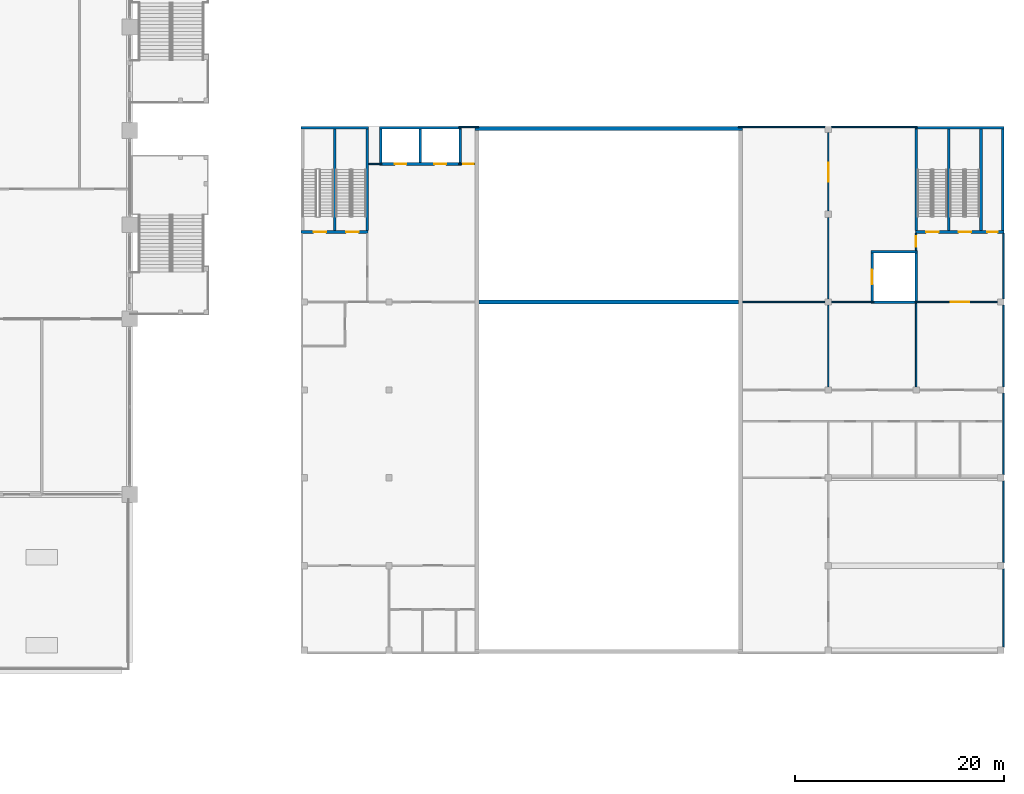
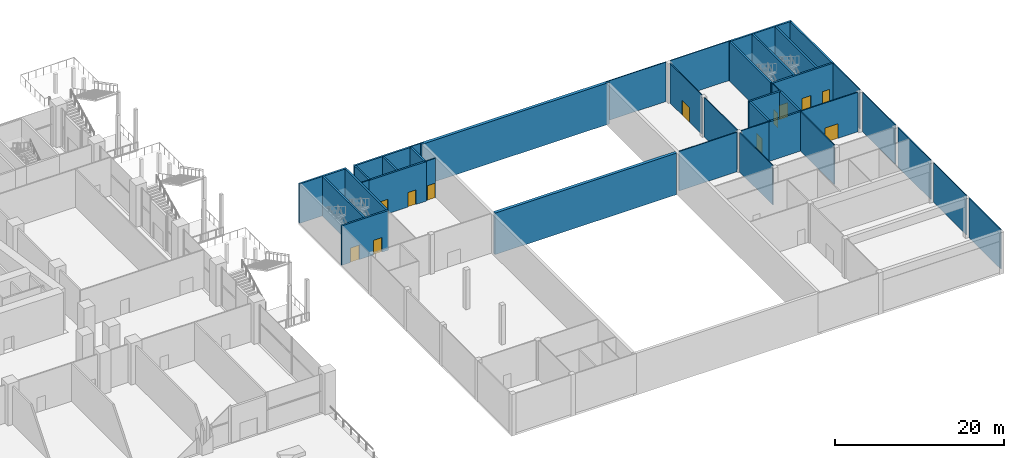
# One storey, part 28 of 47: 39 walls, 12 doors, 12 openings.
"""IFC4 building model written with IfcOpenShell, lengths in metres."""

from ifc_helpers import new_model, si_unit, direction, frame, frame_2d, origin, place, context, subcontext, project, spatial, rectangle, extrude, material, layer, layer_set, type_object, element, fill, save


model = new_model("IFC4")

# Units and contexts
model_context = context("Model", 3, precision=1e-05, world=origin(), true_north=direction((0.0, 1.0)))
body_context = subcontext(model_context, "Body", "Model", "MODEL_VIEW")
ifc_project = project(units=[si_unit("LENGTHUNIT", "METRE"), si_unit("AREAUNIT", "SQUARE_METRE"), si_unit("VOLUMEUNIT", "CUBIC_METRE"), si_unit("PLANEANGLEUNIT", "RADIAN"), si_unit("MASSUNIT", "GRAM", prefix="KILO")], contexts=[model_context])

# Site, building, storey
site_placement = place(None, origin())
site = spatial("IfcSite", under=ifc_project, at=site_placement, CompositionType="ELEMENT")
building_placement = place(site_placement, origin())
building = spatial("IfcBuilding", under=site, at=building_placement, Name="Candeia Pilgrim Tower and Theatre", CompositionType="ELEMENT")
storey_placement = place(building_placement, frame((0.0, 0.0, 23.0)))
storey = spatial("IfcBuildingStorey", under=building, at=storey_placement, Name="L03", CompositionType="ELEMENT", Elevation=23.0)

# Walls
ifc_material_1 = material(Name="Gypsum board on steel studs", Category="steel")
ifc_layer_1 = layer(ifc_material_1, 0.125)
ifc_layer_set_1 = layer_set([ifc_layer_1], Name="Partition 125")
wall_type_1 = type_object("IfcWallType", Name="Partition 125", PredefinedType="PARTITIONING", material=ifc_layer_set_1)
wall_1_placement = place(storey_placement, frame((218.199951171875, 99.60009765625, 0.0), z_axis=(0.0, 0.0, 1.0), x_axis=(1.0, 0.0, 0.0)))
element("IfcWall", 1, at=wall_1_placement, inside=storey, type_object=wall_type_1, Name="T-L03-W019", PredefinedType="PARTITIONING", context=body_context, shape_type="SweptSolid", body=[
    extrude(rectangle(XDim=7.900146484375, YDim=0.125, at=frame_2d((3.9501953125, 0.0))), origin(), (0.0, 0.0, 1.0), 5.699951171875),
])
wall_2_placement = place(storey_placement, frame((226.699951171875, 99.60009765625, 0.0), z_axis=(0.0, 0.0, 1.0), x_axis=(1.0, 0.0, 0.0)))
element("IfcWall", 2, at=wall_2_placement, inside=storey, type_object=wall_type_1, Name="T-L03-W020", PredefinedType="PARTITIONING", context=body_context, shape_type="SweptSolid", body=[
    extrude(rectangle(XDim=4.025146484375, YDim=0.125, at=frame_2d((2.0126953125, 0.0))), origin(), (0.0, 0.0, 1.0), 5.699951171875),
])

# Wall, opening, door
wall_3_placement = place(storey_placement, frame((234.737548828125, 99.60009765625, 0.0), z_axis=(0.0, 0.0, 1.0), x_axis=(1.0, 0.0, 0.0)))
wall_3 = element("IfcWall", 3, at=wall_3_placement, inside=storey, type_object=wall_type_1, Name="T-L03-W022", PredefinedType="PARTITIONING", context=body_context, shape_type="SweptSolid", body=[
    extrude(rectangle(XDim=7.862548828125, YDim=0.125, at=frame_2d((3.93115234375, 0.0))), origin(), (0.0, 0.0, 1.0), 5.699951171875),
])
opening_1_placement = place(wall_3_placement, frame((3.362548828125, 0.0, 0.0)))
opening_1 = element("IfcOpeningElement", 4, at=opening_1_placement, cuts=wall_3, Name="Opening TD-L03-031", PredefinedType="OPENING", context=body_context, shape_type="SweptSolid", body=[
    extrude(rectangle(XDim=1.800048828125, YDim=2.10009765625, at=frame_2d((0.89990234375, 1.050048828125))), frame((0.0, 0.072509765625, 0.0), z_axis=(0.0, -1.0, 0.0), x_axis=(1.0, 0.0, 0.0)), (0.0, 0.0, 1.0), 0.14501953125),
])
ifc_material_2 = material(Name="Timber door leaf", Category="wood")
door_type_1 = type_object("IfcDoorType", Name="Door double 1800x2100", OperationType="DOUBLE_DOOR_SINGLE_SWING", PredefinedType="DOOR", material=ifc_material_2)
door_1_placement = place(opening_1_placement, origin())
door_1 = element("IfcDoor", 5, at=door_1_placement, inside=storey, type_object=door_type_1, Name="Door TD-L03-031", OperationType="DOUBLE_DOOR_SINGLE_SWING", OverallHeight=2.10009765625, OverallWidth=1.800048828125, PredefinedType="DOOR", context=body_context, shape_type="SweptSolid", body=[
    extrude(rectangle(XDim=1.800048828125, YDim=2.10009765625, at=frame_2d((0.89990234375, 1.050048828125))), frame((0.0, 0.02490234375, 0.0), z_axis=(0.0, -1.0, 0.0), x_axis=(1.0, 0.0, 0.0)), (0.0, 0.0, 1.0), 0.050048828125),
])
fill(opening_1, door_1)

# Wall
wall_4_placement = place(storey_placement, frame((182.449951171875, 112.800048828125, 0.0), z_axis=(0.0, 0.0, 1.0), x_axis=(1.0, 0.0, 0.0)))
element("IfcWall", 6, at=wall_4_placement, inside=storey, type_object=wall_type_1, Name="T-L03-W026", PredefinedType="PARTITIONING", context=body_context, shape_type="SweptSolid", body=[
    extrude(rectangle(XDim=1.275146484375, YDim=0.125, at=frame_2d((0.6376953125, 0.0))), origin(), (0.0, 0.0, 1.0), 5.699951171875),
])

# Wall, opening, door
wall_5_placement = place(storey_placement, frame((191.074951171875, 112.800048828125, 0.0), z_axis=(0.0, 0.0, 1.0), x_axis=(1.0, 0.0, 0.0)))
wall_5 = element("IfcWall", 7, at=wall_5_placement, inside=storey, type_object=wall_type_1, Name="T-L03-W028", PredefinedType="PARTITIONING", context=body_context, shape_type="SweptSolid", body=[
    extrude(rectangle(XDim=1.525146484375, YDim=0.125, at=frame_2d((0.7626953125, 0.0))), origin(), (0.0, 0.0, 1.0), 5.699951171875),
])
opening_2_placement = place(wall_5_placement, frame((0.425048828125, 0.0, 0.0)))
opening_2 = element("IfcOpeningElement", 8, at=opening_2_placement, cuts=wall_5, Name="Opening TD-L03-006", PredefinedType="OPENING", context=body_context, shape_type="SweptSolid", body=[
    extrude(rectangle(XDim=1.0, YDim=2.10009765625, at=frame_2d((0.5, 1.050048828125))), frame((0.0, 0.072509765625, 0.0), z_axis=(0.0, -1.0, 0.0), x_axis=(1.0, 0.0, 0.0)), (0.0, 0.0, 1.0), 0.14501953125),
])
ifc_material_3 = material(Name="Steel fire door leaf", Category="steel")
door_type_2 = type_object("IfcDoorType", Name="Door fire single 1000x2100", OperationType="NOTDEFINED", PredefinedType="DOOR", material=ifc_material_3)
door_2_placement = place(opening_2_placement, origin())
door_2 = element("IfcDoor", 9, at=door_2_placement, inside=storey, type_object=door_type_2, Name="Door TD-L03-006", OperationType="SINGLE_SWING_RIGHT", OverallHeight=2.10009765625, OverallWidth=1.0, PredefinedType="DOOR", context=body_context, shape_type="SweptSolid", body=[
    extrude(rectangle(XDim=1.0, YDim=2.10009765625, at=frame_2d((0.5, 1.050048828125))), frame((0.0, 0.02490234375, 0.0), z_axis=(0.0, -1.0, 0.0), x_axis=(1.0, 0.0, 0.0)), (0.0, 0.0, 1.0), 0.050048828125),
])
fill(opening_2, door_2)

# Walls
wall_6_placement = place(storey_placement, frame((191.074951171875, 116.33740234375, 0.0), z_axis=(0.0, 0.0, 1.0), x_axis=(1.0, 0.0, 0.0)))
element("IfcWall", 10, at=wall_6_placement, inside=storey, type_object=wall_type_1, Name="T-L03-W033", PredefinedType="PARTITIONING", context=body_context, shape_type="SweptSolid", body=[
    extrude(rectangle(XDim=1.925048828125, YDim=0.125, at=frame_2d((0.96240234375, 0.0))), origin(), (0.0, 0.0, 1.0), 5.699951171875),
])
wall_7_placement = place(storey_placement, frame((217.800048828125, 116.33740234375, 0.0), z_axis=(0.0, 0.0, 1.0), x_axis=(1.0, 0.0, 0.0)))
element("IfcWall", 11, at=wall_7_placement, inside=storey, type_object=wall_type_1, Name="T-L03-W034", PredefinedType="PARTITIONING", context=body_context, shape_type="SweptSolid", body=[
    extrude(rectangle(XDim=8.300048828125, YDim=0.125, at=frame_2d((4.14990234375, 0.0))), origin(), (0.0, 0.0, 1.0), 5.699951171875),
])
wall_8_placement = place(storey_placement, frame((226.699951171875, 116.33740234375, 0.0), z_axis=(0.0, 0.0, 1.0), x_axis=(1.0, 0.0, 0.0)))
element("IfcWall", 12, at=wall_8_placement, inside=storey, type_object=wall_type_1, Name="T-L03-W035", PredefinedType="PARTITIONING", context=body_context, shape_type="SweptSolid", body=[
    extrude(rectangle(XDim=8.22509765625, YDim=0.125, at=frame_2d((4.112548828125, 0.0))), origin(), (0.0, 0.0, 1.0), 5.699951171875),
])
for number, where, z_axis, x_axis, name in (
    (13, (226.39990234375, 91.5, 0.0), (0.0, 0.0, 1.0), (0.0, 1.0, 0.0), "T-L03-W057"),
    (14, (226.39990234375, 99.89990234375, 0.0), (0.0, 0.0, 1.0), (0.0, 1.0, 0.0), "T-L03-W058"),
):
    element("IfcWall", number, at=place(storey_placement, frame(where, z_axis=z_axis, x_axis=x_axis)), inside=storey, type_object=wall_type_1, Name=name, PredefinedType="PARTITIONING", context=body_context, shape_type="SweptSolid", body=[
        extrude(rectangle(XDim=7.800048828125, YDim=0.125, at=frame_2d((3.89990234375, 0.0))), origin(), (0.0, 0.0, 1.0), 5.699951171875),
    ])

# Wall, opening, door
wall_9_placement = place(storey_placement, frame((226.39990234375, 108.300048828125, 0.0), z_axis=(0.0, 0.0, 1.0), x_axis=(0.0, 1.0, 0.0)))
wall_9 = element("IfcWall", 15, at=wall_9_placement, inside=storey, type_object=wall_type_1, Name="T-L03-W059", PredefinedType="PARTITIONING", context=body_context, shape_type="SweptSolid", body=[
    extrude(rectangle(XDim=7.5, YDim=0.125, at=frame_2d((3.75, 0.0))), origin(), (0.0, 0.0, 1.0), 5.699951171875),
])
opening_3_placement = place(wall_9_placement, frame((2.800048828125, 0.0, 0.0)))
opening_3 = element("IfcOpeningElement", 16, at=opening_3_placement, cuts=wall_9, Name="Opening TD-L03-032", PredefinedType="OPENING", context=body_context, shape_type="SweptSolid", body=[
    extrude(rectangle(XDim=1.800048828125, YDim=2.10009765625, at=frame_2d((0.89990234375, 1.050048828125))), frame((0.0, 0.072509765625, 0.0), z_axis=(0.0, -1.0, 0.0), x_axis=(1.0, 0.0, 0.0)), (0.0, 0.0, 1.0), 0.14501953125),
])
door_3_placement = place(opening_3_placement, origin())
door_3 = element("IfcDoor", 17, at=door_3_placement, inside=storey, type_object=door_type_1, Name="Door TD-L03-032", OperationType="DOUBLE_DOOR_SINGLE_SWING", OverallHeight=2.10009765625, OverallWidth=1.800048828125, PredefinedType="DOOR", context=body_context, shape_type="SweptSolid", body=[
    extrude(rectangle(XDim=1.800048828125, YDim=2.10009765625, at=frame_2d((0.89990234375, 1.050048828125))), frame((0.0, 0.02490234375, 0.0), z_axis=(0.0, -1.0, 0.0), x_axis=(1.0, 0.0, 0.0)), (0.0, 0.0, 1.0), 0.050048828125),
])
fill(opening_3, door_3)

# Wall
wall_10_placement = place(storey_placement, frame((234.800048828125, 91.5, 0.0), z_axis=(0.0, 0.0, 1.0), x_axis=(0.0, 1.0, 0.0)))
element("IfcWall", 18, at=wall_10_placement, inside=storey, type_object=wall_type_1, Name="T-L03-W063", PredefinedType="PARTITIONING", context=body_context, shape_type="SweptSolid", body=[
    extrude(rectangle(XDim=7.97509765625, YDim=0.125, at=frame_2d((3.987548828125, 0.0))), origin(), (0.0, 0.0, 1.0), 5.699951171875),
])

# Wall, opening, door
wall_11_placement = place(storey_placement, frame((234.800048828125, 104.52490234375, 0.0), z_axis=(0.0, 0.0, 1.0), x_axis=(0.0, 1.0, 0.0)))
wall_11 = element("IfcWall", 19, at=wall_11_placement, inside=storey, type_object=wall_type_1, Name="T-L03-W065", PredefinedType="PARTITIONING", context=body_context, shape_type="SweptSolid", body=[
    extrude(rectangle(XDim=1.650146484375, YDim=0.125, at=frame_2d((0.8251953125, 0.0))), origin(), (0.0, 0.0, 1.0), 5.699951171875),
])
opening_4_placement = place(wall_11_placement, frame((0.375, 0.0, 0.0)))
opening_4 = element("IfcOpeningElement", 20, at=opening_4_placement, cuts=wall_11, Name="Opening TD-L03-010", PredefinedType="OPENING", context=body_context, shape_type="SweptSolid", body=[
    extrude(rectangle(XDim=1.0, YDim=2.10009765625, at=frame_2d((0.5, 1.050048828125))), frame((0.0, 0.072509765625, 0.0), z_axis=(0.0, -1.0, 0.0), x_axis=(1.0, 0.0, 0.0)), (0.0, 0.0, 1.0), 0.14501953125),
])
door_4_placement = place(opening_4_placement, origin())
door_4 = element("IfcDoor", 21, at=door_4_placement, inside=storey, type_object=door_type_2, Name="Door TD-L03-010", OperationType="SINGLE_SWING_RIGHT", OverallHeight=2.10009765625, OverallWidth=1.0, PredefinedType="DOOR", context=body_context, shape_type="SweptSolid", body=[
    extrude(rectangle(XDim=1.0, YDim=2.10009765625, at=frame_2d((0.5, 1.050048828125))), frame((0.0, 0.02490234375, 0.0), z_axis=(0.0, -1.0, 0.0), x_axis=(1.0, 0.0, 0.0)), (0.0, 0.0, 1.0), 0.050048828125),
])
fill(opening_4, door_4)

# Walls
wall_12_placement = place(storey_placement, frame((243.137451171875, 66.60009765625, 0.0), z_axis=(0.0, 0.0, 1.0), x_axis=(0.0, 1.0, 0.0)))
element("IfcWall", 22, at=wall_12_placement, inside=storey, type_object=wall_type_1, Name="T-L03-W071", PredefinedType="PARTITIONING", context=body_context, shape_type="SweptSolid", body=[
    extrude(rectangle(XDim=7.5, YDim=0.125, at=frame_2d((3.75, 0.0))), origin(), (0.0, 0.0, 1.0), 5.699951171875),
])
wall_13_placement = place(storey_placement, frame((243.137451171875, 74.699951171875, 0.0), z_axis=(0.0, 0.0, 1.0), x_axis=(0.0, 1.0, 0.0)))
element("IfcWall", 23, at=wall_13_placement, inside=storey, type_object=wall_type_1, Name="T-L03-W072", PredefinedType="PARTITIONING", context=body_context, shape_type="SweptSolid", body=[
    extrude(rectangle(XDim=7.800048828125, YDim=0.125, at=frame_2d((3.89990234375, 0.0))), origin(), (0.0, 0.0, 1.0), 5.699951171875),
])
wall_14_placement = place(storey_placement, frame((243.137451171875, 83.10009765625, 0.0), z_axis=(0.0, 0.0, 1.0), x_axis=(0.0, 1.0, 0.0)))
element("IfcWall", 24, at=wall_14_placement, inside=storey, type_object=wall_type_1, Name="T-L03-W073", PredefinedType="PARTITIONING", context=body_context, shape_type="SweptSolid", body=[
    extrude(rectangle(XDim=7.7998046875, YDim=0.125, at=frame_2d((3.89990234375, 0.0))), origin(), (0.0, 0.0, 1.0), 5.699951171875),
])
wall_15_placement = place(storey_placement, frame((243.137451171875, 91.5, 0.0), z_axis=(0.0, 0.0, 1.0), x_axis=(0.0, 1.0, 0.0)))
element("IfcWall", 25, at=wall_15_placement, inside=storey, type_object=wall_type_1, Name="T-L03-W074", PredefinedType="PARTITIONING", context=body_context, shape_type="SweptSolid", body=[
    extrude(rectangle(XDim=7.800048828125, YDim=0.125, at=frame_2d((3.89990234375, 0.0))), origin(), (0.0, 0.0, 1.0), 5.699951171875),
])
wall_16_placement = place(storey_placement, frame((243.137451171875, 99.89990234375, 0.0), z_axis=(0.0, 0.0, 1.0), x_axis=(0.0, 1.0, 0.0)))
element("IfcWall", 26, at=wall_16_placement, inside=storey, type_object=wall_type_1, Name="T-L03-W075", PredefinedType="PARTITIONING", context=body_context, shape_type="SweptSolid", body=[
    extrude(rectangle(XDim=6.275146484375, YDim=0.125, at=frame_2d((3.1376953125, 0.0))), origin(), (0.0, 0.0, 1.0), 5.699951171875),
])
ifc_material_4 = material(Name="Concrete C35/45", Category="concrete")
ifc_layer_2 = layer(ifc_material_4, 0.25)
ifc_layer_set_2 = layer_set([ifc_layer_2], Name="RC wall 250 C35/45")
wall_type_2 = type_object("IfcWallType", Name="RC wall 250 C35/45", PredefinedType="SOLIDWALL", material=ifc_layer_set_2)
wall_17_placement = place(storey_placement, frame((230.47509765625, 99.60009765625, 0.0), z_axis=(0.0, 0.0, 1.0), x_axis=(1.0, 0.0, 0.0)))
element("IfcWall", 27, at=wall_17_placement, inside=storey, type_object=wall_type_2, Name="T-L03-W021", PredefinedType="SOLIDWALL", context=body_context, shape_type="SweptSolid", body=[
    extrude(rectangle(XDim=4.387451171875, YDim=0.25, at=frame_2d((2.19384765625, 0.0))), origin(), (0.0, 0.0, 1.0), 5.699951171875),
])
wall_18_placement = place(storey_placement, frame((230.47509765625, 104.39990234375, 0.0), z_axis=(0.0, 0.0, 1.0), x_axis=(1.0, 0.0, 0.0)))
element("IfcWall", 28, at=wall_18_placement, inside=storey, type_object=wall_type_2, Name="T-L03-W023", PredefinedType="SOLIDWALL", context=body_context, shape_type="SweptSolid", body=[
    extrude(rectangle(XDim=4.449951171875, YDim=0.25, at=frame_2d((2.22509765625, 0.0))), origin(), (0.0, 0.0, 1.0), 5.699951171875),
])

# Wall, openings, doors
wall_19_placement = place(storey_placement, frame((176.0, 106.300048828125, 0.0), z_axis=(0.0, 0.0, 1.0), x_axis=(1.0, 0.0, 0.0)))
wall_19 = element("IfcWall", 29, at=wall_19_placement, inside=storey, type_object=wall_type_2, Name="T-L03-W024", PredefinedType="SOLIDWALL", context=body_context, shape_type="SweptSolid", body=[
    extrude(rectangle(XDim=6.387451171875, YDim=0.25, at=frame_2d((3.19384765625, 0.0))), origin(), (0.0, 0.0, 1.0), 5.699951171875),
])
opening_5_placement = place(wall_19_placement, frame((1.199951171875, 0.0, 0.0)))
opening_5 = element("IfcOpeningElement", 30, at=opening_5_placement, cuts=wall_19, Name="Opening TD-L03-001", PredefinedType="OPENING", context=body_context, shape_type="SweptSolid", body=[
    extrude(rectangle(XDim=1.199951171875, YDim=2.10009765625, at=frame_2d((0.60009765625, 1.050048828125))), frame((0.0, 0.135009765625, 0.0), z_axis=(0.0, -1.0, 0.0), x_axis=(1.0, 0.0, 0.0)), (0.0, 0.0, 1.0), 0.27001953125),
])
opening_6_placement = place(wall_19_placement, frame((4.300048828125, 0.0, 0.0)))
opening_6 = element("IfcOpeningElement", 31, at=opening_6_placement, cuts=wall_19, Name="Opening TD-L03-002", PredefinedType="OPENING", context=body_context, shape_type="SweptSolid", body=[
    extrude(rectangle(XDim=1.199951171875, YDim=2.10009765625, at=frame_2d((0.60009765625, 1.050048828125))), frame((0.0, 0.135009765625, 0.0), z_axis=(0.0, -1.0, 0.0), x_axis=(1.0, 0.0, 0.0)), (0.0, 0.0, 1.0), 0.27001953125),
])
door_type_3 = type_object("IfcDoorType", Name="Door exit single 1200x2100", OperationType="NOTDEFINED", PredefinedType="DOOR", material=ifc_material_3)
door_5_placement = place(opening_5_placement, origin())
door_5 = element("IfcDoor", 32, at=door_5_placement, inside=storey, type_object=door_type_3, Name="Door TD-L03-001", OperationType="SINGLE_SWING_LEFT", OverallHeight=2.10009765625, OverallWidth=1.199951171875, PredefinedType="DOOR", context=body_context, shape_type="SweptSolid", body=[
    extrude(rectangle(XDim=1.199951171875, YDim=2.10009765625, at=frame_2d((0.60009765625, 1.050048828125))), frame((0.0, 0.02490234375, 0.0), z_axis=(0.0, -1.0, 0.0), x_axis=(1.0, 0.0, 0.0)), (0.0, 0.0, 1.0), 0.050048828125),
])
fill(opening_5, door_5)
door_6_placement = place(opening_6_placement, origin())
door_6 = element("IfcDoor", 33, at=door_6_placement, inside=storey, type_object=door_type_3, Name="Door TD-L03-002", OperationType="SINGLE_SWING_RIGHT", OverallHeight=2.10009765625, OverallWidth=1.199951171875, PredefinedType="DOOR", context=body_context, shape_type="SweptSolid", body=[
    extrude(rectangle(XDim=1.199951171875, YDim=2.10009765625, at=frame_2d((0.60009765625, 1.050048828125))), frame((0.0, 0.02490234375, 0.0), z_axis=(0.0, -1.0, 0.0), x_axis=(1.0, 0.0, 0.0)), (0.0, 0.0, 1.0), 0.050048828125),
])
fill(opening_6, door_6)

wall_20_placement = place(storey_placement, frame((234.737548828125, 106.300048828125, 0.0), z_axis=(0.0, 0.0, 1.0), x_axis=(1.0, 0.0, 0.0)))
wall_20 = element("IfcWall", 34, at=wall_20_placement, inside=storey, type_object=wall_type_2, Name="T-L03-W025", PredefinedType="SOLIDWALL", context=body_context, shape_type="SweptSolid", body=[
    extrude(rectangle(XDim=8.46240234375, YDim=0.25, at=frame_2d((4.231201171875, 0.0))), origin(), (0.0, 0.0, 1.0), 5.699951171875),
])
opening_7_placement = place(wall_20_placement, frame((1.012451171875, 0.0, 0.0)))
opening_7 = element("IfcOpeningElement", 35, at=opening_7_placement, cuts=wall_20, Name="Opening TD-L03-007", PredefinedType="OPENING", context=body_context, shape_type="SweptSolid", body=[
    extrude(rectangle(XDim=1.199951171875, YDim=2.10009765625, at=frame_2d((0.60009765625, 1.050048828125))), frame((0.0, 0.135009765625, 0.0), z_axis=(0.0, -1.0, 0.0), x_axis=(1.0, 0.0, 0.0)), (0.0, 0.0, 1.0), 0.27001953125),
])
opening_8_placement = place(wall_20_placement, frame((4.112548828125, 0.0, 0.0)))
opening_8 = element("IfcOpeningElement", 36, at=opening_8_placement, cuts=wall_20, Name="Opening TD-L03-008", PredefinedType="OPENING", context=body_context, shape_type="SweptSolid", body=[
    extrude(rectangle(XDim=1.199951171875, YDim=2.10009765625, at=frame_2d((0.60009765625, 1.050048828125))), frame((0.0, 0.135009765625, 0.0), z_axis=(0.0, -1.0, 0.0), x_axis=(1.0, 0.0, 0.0)), (0.0, 0.0, 1.0), 0.27001953125),
])
opening_9_placement = place(wall_20_placement, frame((6.862548828125, 0.0, 0.0)))
opening_9 = element("IfcOpeningElement", 37, at=opening_9_placement, cuts=wall_20, Name="Opening TD-L03-009", PredefinedType="OPENING", context=body_context, shape_type="SweptSolid", body=[
    extrude(rectangle(XDim=1.0, YDim=2.10009765625, at=frame_2d((0.5, 1.050048828125))), frame((0.0, 0.135009765625, 0.0), z_axis=(0.0, -1.0, 0.0), x_axis=(1.0, 0.0, 0.0)), (0.0, 0.0, 1.0), 0.27001953125),
])
door_7_placement = place(opening_7_placement, origin())
door_7 = element("IfcDoor", 38, at=door_7_placement, inside=storey, type_object=door_type_3, Name="Door TD-L03-007", OperationType="SINGLE_SWING_LEFT", OverallHeight=2.10009765625, OverallWidth=1.199951171875, PredefinedType="DOOR", context=body_context, shape_type="SweptSolid", body=[
    extrude(rectangle(XDim=1.199951171875, YDim=2.10009765625, at=frame_2d((0.60009765625, 1.050048828125))), frame((0.0, 0.02490234375, 0.0), z_axis=(0.0, -1.0, 0.0), x_axis=(1.0, 0.0, 0.0)), (0.0, 0.0, 1.0), 0.050048828125),
])
fill(opening_7, door_7)
door_8_placement = place(opening_8_placement, origin())
door_8 = element("IfcDoor", 39, at=door_8_placement, inside=storey, type_object=door_type_3, Name="Door TD-L03-008", OperationType="SINGLE_SWING_RIGHT", OverallHeight=2.10009765625, OverallWidth=1.199951171875, PredefinedType="DOOR", context=body_context, shape_type="SweptSolid", body=[
    extrude(rectangle(XDim=1.199951171875, YDim=2.10009765625, at=frame_2d((0.60009765625, 1.050048828125))), frame((0.0, 0.02490234375, 0.0), z_axis=(0.0, -1.0, 0.0), x_axis=(1.0, 0.0, 0.0)), (0.0, 0.0, 1.0), 0.050048828125),
])
fill(opening_8, door_8)
door_9_placement = place(opening_9_placement, origin())
door_9 = element("IfcDoor", 40, at=door_9_placement, inside=storey, type_object=door_type_2, Name="Door TD-L03-009", OperationType="SINGLE_SWING_LEFT", OverallHeight=2.10009765625, OverallWidth=1.0, PredefinedType="DOOR", context=body_context, shape_type="SweptSolid", body=[
    extrude(rectangle(XDim=1.0, YDim=2.10009765625, at=frame_2d((0.5, 1.050048828125))), frame((0.0, 0.02490234375, 0.0), z_axis=(0.0, -1.0, 0.0), x_axis=(1.0, 0.0, 0.0)), (0.0, 0.0, 1.0), 0.050048828125),
])
fill(opening_9, door_9)

wall_21_placement = place(storey_placement, frame((183.47509765625, 112.800048828125, 0.0), z_axis=(0.0, 0.0, 1.0), x_axis=(1.0, 0.0, 0.0)))
wall_21 = element("IfcWall", 41, at=wall_21_placement, inside=storey, type_object=wall_type_2, Name="T-L03-W027", PredefinedType="SOLIDWALL", context=body_context, shape_type="SweptSolid", body=[
    extrude(rectangle(XDim=7.849853515625, YDim=0.25, at=frame_2d((3.9248046875, 0.0))), origin(), (0.0, 0.0, 1.0), 5.699951171875),
])
opening_10_placement = place(wall_21_placement, frame((1.47509765625, 0.0, 0.0)))
opening_10 = element("IfcOpeningElement", 42, at=opening_10_placement, cuts=wall_21, Name="Opening TD-L03-004", PredefinedType="OPENING", context=body_context, shape_type="SweptSolid", body=[
    extrude(rectangle(XDim=1.10009765625, YDim=2.10009765625, at=frame_2d((0.550048828125, 1.050048828125))), frame((0.0, 0.135009765625, 0.0), z_axis=(0.0, -1.0, 0.0), x_axis=(1.0, 0.0, 0.0)), (0.0, 0.0, 1.0), 0.27001953125),
])
opening_11_placement = place(wall_21_placement, frame((5.27490234375, 0.0, 0.0)))
opening_11 = element("IfcOpeningElement", 43, at=opening_11_placement, cuts=wall_21, Name="Opening TD-L03-005", PredefinedType="OPENING", context=body_context, shape_type="SweptSolid", body=[
    extrude(rectangle(XDim=1.10009765625, YDim=2.10009765625, at=frame_2d((0.550048828125, 1.050048828125))), frame((0.0, 0.135009765625, 0.0), z_axis=(0.0, -1.0, 0.0), x_axis=(1.0, 0.0, 0.0)), (0.0, 0.0, 1.0), 0.27001953125),
])
ifc_material_5 = material(Name="Stainless steel landing door", Category="steel")
door_type_4 = type_object("IfcDoorType", Name="Door lift landing 1100x2100", OperationType="DOUBLE_DOOR_SLIDING", PredefinedType="DOOR", material=ifc_material_5)
door_10_placement = place(opening_10_placement, origin())
door_10 = element("IfcDoor", 44, at=door_10_placement, inside=storey, type_object=door_type_4, Name="Door TD-L03-004", OperationType="DOUBLE_DOOR_SLIDING", OverallHeight=2.10009765625, OverallWidth=1.10009765625, PredefinedType="DOOR", context=body_context, shape_type="SweptSolid", body=[
    extrude(rectangle(XDim=1.10009765625, YDim=2.10009765625, at=frame_2d((0.550048828125, 1.050048828125))), frame((0.0, 0.02490234375, 0.0), z_axis=(0.0, -1.0, 0.0), x_axis=(1.0, 0.0, 0.0)), (0.0, 0.0, 1.0), 0.050048828125),
])
fill(opening_10, door_10)
door_11_placement = place(opening_11_placement, origin())
door_11 = element("IfcDoor", 45, at=door_11_placement, inside=storey, type_object=door_type_4, Name="Door TD-L03-005", OperationType="DOUBLE_DOOR_SLIDING", OverallHeight=2.10009765625, OverallWidth=1.10009765625, PredefinedType="DOOR", context=body_context, shape_type="SweptSolid", body=[
    extrude(rectangle(XDim=1.10009765625, YDim=2.10009765625, at=frame_2d((0.550048828125, 1.050048828125))), frame((0.0, 0.02490234375, 0.0), z_axis=(0.0, -1.0, 0.0), x_axis=(1.0, 0.0, 0.0)), (0.0, 0.0, 1.0), 0.050048828125),
])
fill(opening_11, door_11)

# Walls
wall_22_placement = place(storey_placement, frame((176.0, 116.27490234375, 0.0), z_axis=(0.0, 0.0, 1.0), x_axis=(1.0, 0.0, 0.0)))
element("IfcWall", 46, at=wall_22_placement, inside=storey, type_object=wall_type_2, Name="T-L03-W030", PredefinedType="SOLIDWALL", context=body_context, shape_type="SweptSolid", body=[
    extrude(rectangle(XDim=6.449951171875, YDim=0.25, at=frame_2d((3.22509765625, 0.0))), origin(), (0.0, 0.0, 1.0), 5.699951171875),
])
wall_23_placement = place(storey_placement, frame((183.47509765625, 116.27490234375, 0.0), z_axis=(0.0, 0.0, 1.0), x_axis=(1.0, 0.0, 0.0)))
element("IfcWall", 47, at=wall_23_placement, inside=storey, type_object=wall_type_2, Name="T-L03-W031", PredefinedType="SOLIDWALL", context=body_context, shape_type="SweptSolid", body=[
    extrude(rectangle(XDim=7.849853515625, YDim=0.25, at=frame_2d((3.9248046875, 0.0))), origin(), (0.0, 0.0, 1.0), 5.699951171875),
])
wall_24_placement = place(storey_placement, frame((234.675048828125, 116.27490234375, 0.0), z_axis=(0.0, 0.0, 1.0), x_axis=(1.0, 0.0, 0.0)))
element("IfcWall", 48, at=wall_24_placement, inside=storey, type_object=wall_type_2, Name="T-L03-W032", PredefinedType="SOLIDWALL", context=body_context, shape_type="SweptSolid", body=[
    extrude(rectangle(XDim=8.52490234375, YDim=0.25, at=frame_2d((4.262451171875, 0.0))), origin(), (0.0, 0.0, 1.0), 5.699951171875),
])
for number, where, z_axis, x_axis, name in (
    (49, (179.22509765625, 106.425048828125, 0.0), (0.0, 0.0, 1.0), (0.0, 1.0, 0.0), "T-L03-W042"),
    (50, (182.324951171875, 106.425048828125, 0.0), (0.0, 0.0, 1.0), (0.0, 1.0, 0.0), "T-L03-W045"),
):
    element("IfcWall", number, at=place(storey_placement, frame(where, z_axis=z_axis, x_axis=x_axis)), inside=storey, type_object=wall_type_2, Name=name, PredefinedType="SOLIDWALL", context=body_context, shape_type="SweptSolid", body=[
        extrude(rectangle(XDim=9.724853515625, YDim=0.25, at=frame_2d((4.8623046875, 0.0))), origin(), (0.0, 0.0, 1.0), 5.699951171875),
    ])
wall_25_placement = place(storey_placement, frame((183.60009765625, 112.862548828125, 0.0), z_axis=(0.0, 0.0, 1.0), x_axis=(0.0, 1.0, 0.0)))
element("IfcWall", 51, at=wall_25_placement, inside=storey, type_object=wall_type_2, Name="T-L03-W046", PredefinedType="SOLIDWALL", context=body_context, shape_type="SweptSolid", body=[
    extrude(rectangle(XDim=3.287353515625, YDim=0.25, at=frame_2d((1.6435546875, 0.0))), origin(), (0.0, 0.0, 1.0), 5.699951171875),
])
for number, where, z_axis, x_axis, name in (
    (52, (187.39990234375, 112.925048828125, 0.0), (0.0, 0.0, 1.0), (0.0, 1.0, 0.0), "T-L03-W048"),
    (53, (191.199951171875, 112.925048828125, 0.0), (0.0, 0.0, 1.0), (0.0, 1.0, 0.0), "T-L03-W051"),
):
    element("IfcWall", number, at=place(storey_placement, frame(where, z_axis=z_axis, x_axis=x_axis)), inside=storey, type_object=wall_type_2, Name=name, PredefinedType="SOLIDWALL", context=body_context, shape_type="SweptSolid", body=[
        extrude(rectangle(XDim=3.224853515625, YDim=0.25, at=frame_2d((1.6123046875, 0.0))), origin(), (0.0, 0.0, 1.0), 5.699951171875),
    ])

# Wall, opening, door
wall_26_placement = place(storey_placement, frame((230.60009765625, 99.66259765625, 0.0), z_axis=(0.0, 0.0, 1.0), x_axis=(0.0, 1.0, 0.0)))
wall_26 = element("IfcWall", 54, at=wall_26_placement, inside=storey, type_object=wall_type_2, Name="T-L03-W061", PredefinedType="SOLIDWALL", context=body_context, shape_type="SweptSolid", body=[
    extrude(rectangle(XDim=4.6123046875, YDim=0.25, at=frame_2d((2.30615234375, 0.0))), origin(), (0.0, 0.0, 1.0), 5.699951171875),
])
opening_12_placement = place(wall_26_placement, frame((1.637451171875, 0.0, 0.0)))
opening_12 = element("IfcOpeningElement", 55, at=opening_12_placement, cuts=wall_26, Name="Opening TD-L03-011", PredefinedType="OPENING", context=body_context, shape_type="SweptSolid", body=[
    extrude(rectangle(XDim=1.39990234375, YDim=2.10009765625, at=frame_2d((0.699951171875, 1.050048828125))), frame((0.0, 0.135009765625, 0.0), z_axis=(0.0, -1.0, 0.0), x_axis=(1.0, 0.0, 0.0)), (0.0, 0.0, 1.0), 0.27001953125),
])
door_type_5 = type_object("IfcDoorType", Name="Door goods lift landing 1400x2100", OperationType="DOUBLE_DOOR_SLIDING", PredefinedType="DOOR", material=ifc_material_5)
door_12_placement = place(opening_12_placement, origin())
door_12 = element("IfcDoor", 56, at=door_12_placement, inside=storey, type_object=door_type_5, Name="Door TD-L03-011", OperationType="DOUBLE_DOOR_SLIDING", OverallHeight=2.10009765625, OverallWidth=1.39990234375, PredefinedType="DOOR", context=body_context, shape_type="SweptSolid", body=[
    extrude(rectangle(XDim=1.39990234375, YDim=2.10009765625, at=frame_2d((0.699951171875, 1.050048828125))), frame((0.0, 0.02490234375, 0.0), z_axis=(0.0, -1.0, 0.0), x_axis=(1.0, 0.0, 0.0)), (0.0, 0.0, 1.0), 0.050048828125),
])
fill(opening_12, door_12)

# Walls
wall_27_placement = place(storey_placement, frame((234.800048828125, 99.72509765625, 0.0), z_axis=(0.0, 0.0, 1.0), x_axis=(0.0, 1.0, 0.0)))
element("IfcWall", 57, at=wall_27_placement, inside=storey, type_object=wall_type_2, Name="T-L03-W064", PredefinedType="SOLIDWALL", context=body_context, shape_type="SweptSolid", body=[
    extrude(rectangle(XDim=4.5498046875, YDim=0.25, at=frame_2d((2.27490234375, 0.0))), origin(), (0.0, 0.0, 1.0), 5.699951171875),
])
wall_28_placement = place(storey_placement, frame((234.800048828125, 106.425048828125, 0.0), z_axis=(0.0, 0.0, 1.0), x_axis=(0.0, 1.0, 0.0)))
element("IfcWall", 58, at=wall_28_placement, inside=storey, type_object=wall_type_2, Name="T-L03-W066", PredefinedType="SOLIDWALL", context=body_context, shape_type="SweptSolid", body=[
    extrude(rectangle(XDim=9.849853515625, YDim=0.25, at=frame_2d((4.9248046875, 0.0))), origin(), (0.0, 0.0, 1.0), 5.699951171875),
])
for number, where, z_axis, x_axis, name in (
    (59, (237.89990234375, 106.425048828125, 0.0), (0.0, 0.0, 1.0), (0.0, 1.0, 0.0), "T-L03-W067"),
    (60, (241.0, 106.425048828125, 0.0), (0.0, 0.0, 1.0), (0.0, 1.0, 0.0), "T-L03-W069"),
    (61, (243.074951171875, 106.425048828125, 0.0), (0.0, 0.0, 1.0), (0.0, 1.0, 0.0), "T-L03-W070"),
):
    element("IfcWall", number, at=place(storey_placement, frame(where, z_axis=z_axis, x_axis=x_axis)), inside=storey, type_object=wall_type_2, Name=name, PredefinedType="SOLIDWALL", context=body_context, shape_type="SweptSolid", body=[
        extrude(rectangle(XDim=9.724853515625, YDim=0.25, at=frame_2d((4.8623046875, 0.0))), origin(), (0.0, 0.0, 1.0), 5.699951171875),
    ])
ifc_material_6 = material(Name="Concrete C40/50", Category="concrete")
ifc_layer_3 = layer(ifc_material_6, 0.39990234375)
ifc_layer_set_3 = layer_set([ifc_layer_3], Name="RC wall 400 house C40/50")
wall_type_3 = type_object("IfcWallType", Name="RC wall 400 house C40/50", PredefinedType="SOLIDWALL", material=ifc_layer_set_3)
wall_29_placement = place(storey_placement, frame((193.0, 99.60009765625, -0.300048828125), z_axis=(0.0, 0.0, 1.0), x_axis=(1.0, 0.0, 0.0)))
element("IfcWall", 62, at=wall_29_placement, inside=storey, type_object=wall_type_3, Name="T-L03-W018", PredefinedType="SOLIDWALL", context=body_context, shape_type="SweptSolid", body=[
    extrude(rectangle(XDim=24.800048828125, YDim=0.39990234375, at=frame_2d((12.39990234375, 0.0))), origin(), (0.0, 0.0, 1.0), 6.0),
])
wall_30_placement = place(storey_placement, frame((192.60009765625, 116.199951171875, -0.300048828125), z_axis=(0.0, 0.0, 1.0), x_axis=(1.0, 0.0, 0.0)))
element("IfcWall", 63, at=wall_30_placement, inside=storey, type_object=wall_type_3, Name="T-L03-W029", PredefinedType="SOLIDWALL", context=body_context, shape_type="SweptSolid", body=[
    extrude(rectangle(XDim=25.599853515625, YDim=0.39990234375, at=frame_2d((12.7998046875, 0.0))), origin(), (0.0, 0.0, 1.0), 6.0),
])

save(model, "model.ifc")
